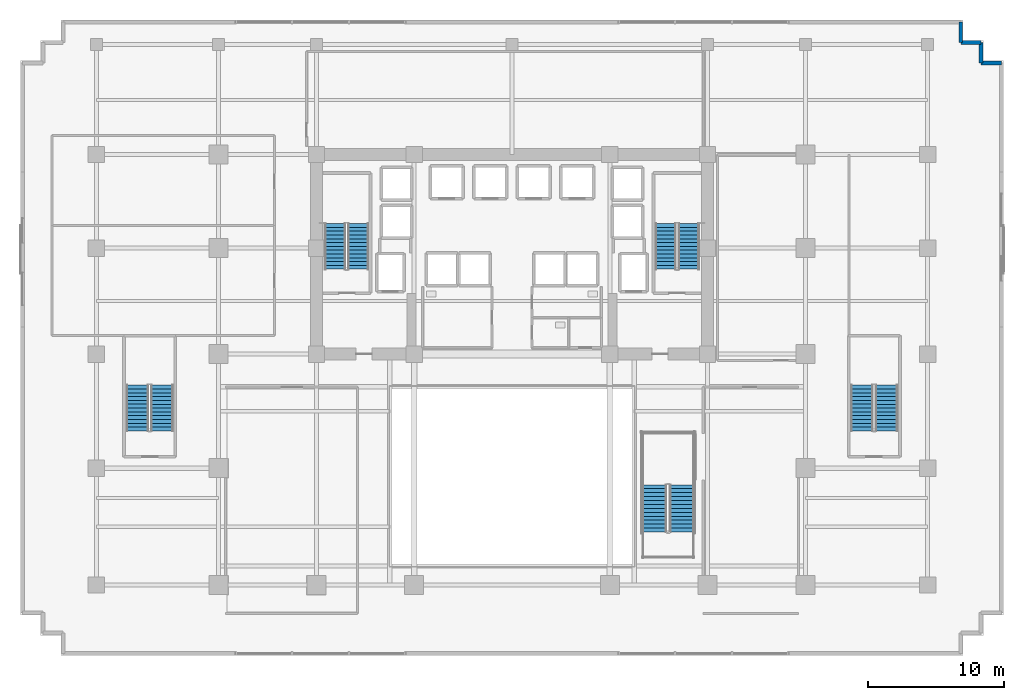
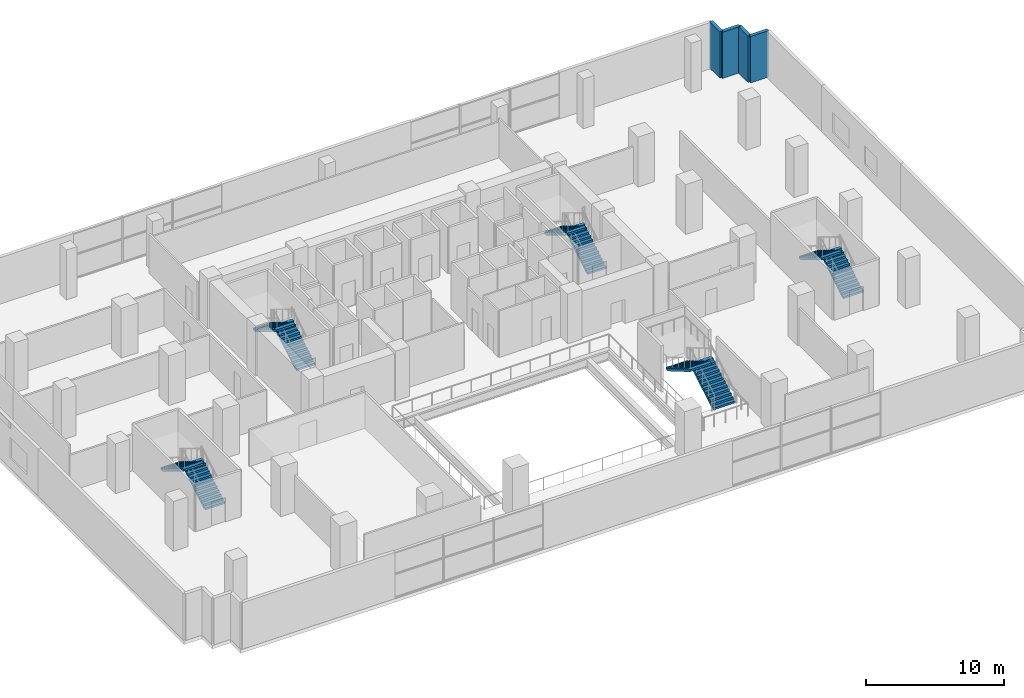
# One storey, part 17 of 21: 10 stair flights, 4 walls, 5 elements without a shape of their own.
"""IFC4 building model written with IfcOpenShell, lengths in metres."""

from ifc_helpers import new_model, si_unit, direction, frame, frame_2d, origin, place, context, subcontext, project, spatial, polyline, rectangle, outline, extrude, material, layer, layer_set, type_object, element, aggregate, save


model = new_model("IFC4")

# Units and contexts
model_context = context("Model", 3, precision=1e-05, world=origin(), true_north=direction((0.0, 1.0)))
body_context = subcontext(model_context, "Body", "Model", "MODEL_VIEW")
ifc_project = project(units=[si_unit("LENGTHUNIT", "METRE"), si_unit("AREAUNIT", "SQUARE_METRE"), si_unit("VOLUMEUNIT", "CUBIC_METRE"), si_unit("PLANEANGLEUNIT", "RADIAN"), si_unit("MASSUNIT", "GRAM", prefix="KILO")], contexts=[model_context])

# Site, building, storey
site_placement = place(None, origin())
site = spatial("IfcSite", under=ifc_project, at=site_placement, CompositionType="ELEMENT")
building_placement = place(site_placement, origin())
building = spatial("IfcBuilding", under=site, at=building_placement, Name="Zarnakvel Exchange Tower", CompositionType="ELEMENT")
storey_placement = place(building_placement, frame((0.0, 0.0, 18.199951171875)))
storey = spatial("IfcBuildingStorey", under=building, at=storey_placement, Name="L04", CompositionType="ELEMENT", Elevation=18.199951171875)

# Walls
ifc_material_1 = material(Name="Precast concrete C40/50", Category="concrete")
ifc_layer = layer(ifc_material_1, 0.280029296875)
ifc_layer_set = layer_set([ifc_layer], Name="Precast concrete C40/50")
wall_type = type_object("IfcWallType", Name="EW-01", PredefinedType="SOLIDWALL", material=ifc_layer_set)
for number, where, z_axis, x_axis, name in (
    (1, (33.0400390625, 21.739990234375, 0.0), (0.0, 0.0, 1.0), (0.0, 1.0, 0.0), "L04 Exterior Precast Spandrel Wall EWC-L04-10 (EW-01)"),
    (2, (34.5400390625, 21.739990234375, 0.0), (0.0, 0.0, 1.0), (-1.0, 0.0, 0.0), "L04 Exterior Precast Spandrel Wall EWC-L04-11 (EW-01)"),
    (3, (34.5400390625, 20.239990234375, 0.0), (0.0, 0.0, 1.0), (0.0, 1.0, 0.0), "L04 Exterior Precast Spandrel Wall EWC-L04-12 (EW-01)"),
    (4, (36.0400390625, 20.239990234375, 0.0), (0.0, 0.0, 1.0), (-1.0, 0.0, 0.0), "L04 Exterior Precast Spandrel Wall EWC-L04-13 (EW-01)"),
):
    element("IfcWall", number, at=place(storey_placement, frame(where, z_axis=z_axis, x_axis=x_axis)), inside=storey, type_object=wall_type, Name=name, PredefinedType="SOLIDWALL", context=body_context, shape_type="SweptSolid", body=[
        extrude(rectangle(XDim=1.5, YDim=0.280029296875, at=frame_2d((0.75, 0.0))), origin(), (0.0, 0.0, 1.0), 4.10009765625),
    ])

# Stair, stair flights
ifc_material_2 = material(Name="Concrete C40/50", Category="concrete")
stair_type_1 = type_object("IfcStairType", Name="STR-01", PredefinedType="HALF_TURN_STAIR", material=ifc_material_2)
stair_1_placement = place(storey_placement, origin())
stair_1 = element("IfcStair", 5, at=stair_1_placement, inside=storey, type_object=stair_type_1, Name="L04 Protected Core Exit Stair ST-01", PredefinedType="HALF_TURN_STAIR")
stair_flight_type_1 = type_object("IfcStairFlightType", Name="FLT-01", PredefinedType="STRAIGHT", material=ifc_material_2)
stair_flight_1_placement = place(storey_placement, frame((-11.31494140625, 5.050048828125, 0.0), z_axis=(0.0, 0.0, 1.0), x_axis=(0.0, 1.0, 0.0)))
stair_flight_1 = element("IfcStairFlight", 6, at=stair_flight_1_placement, type_object=stair_flight_type_1, Name="ST-01 flight 1", NumberOfRisers=13, NumberOfTreads=12, PredefinedType="STRAIGHT", RiserHeight=0.169230769, TreadLength=0.28, context=body_context, shape_type="SweptSolid", body=[
    extrude(outline(polyline([(0.0, 0.0), (0.0, 0.169189453125), (0.280029296875, 0.169189453125), (0.280029296875, 0.33837890625), (0.56005859375, 0.33837890625), (0.56005859375, 0.5078125), (0.840087890625, 0.5078125), (0.840087890625, 0.677001953125), (1.1201171875, 0.677001953125), (1.1201171875, 0.84619140625), (1.39990234375, 0.84619140625), (1.39990234375, 1.015380859375), (1.679931640625, 1.015380859375), (1.679931640625, 1.1845703125), (1.9599609375, 1.1845703125), (1.9599609375, 1.353759765625), (2.239990234375, 1.353759765625), (2.239990234375, 1.523193359375), (2.52001953125, 1.523193359375), (2.52001953125, 1.6923828125), (2.800048828125, 1.6923828125), (2.800048828125, 1.861572265625), (3.080078125, 1.861572265625), (3.080078125, 2.03076171875), (3.360107421875, 2.03076171875), (3.360107421875, 2.199951171875), (3.360107421875, 1.855712890625), (0.289794921875, 0.0), (0.0, 0.0)])), frame((0.0, 0.77490234375, 0.0), z_axis=(0.0, -1.0, 0.0), x_axis=(1.0, 0.0, 0.0)), (0.0, 0.0, 1.0), 1.550048828125),
])
stair_flight_2_placement = place(storey_placement, frame((-13.02490234375, 8.409912109375, 2.199951171875), z_axis=(0.0, 0.0, 1.0), x_axis=(0.0, -1.0, 0.0)))
stair_flight_2 = element("IfcStairFlight", 7, at=stair_flight_2_placement, type_object=stair_flight_type_1, Name="ST-01 flight 2", NumberOfRisers=13, NumberOfTreads=12, PredefinedType="STRAIGHT", RiserHeight=0.169230769, TreadLength=0.28, context=body_context, shape_type="SweptSolid", body=[
    extrude(outline(polyline([(0.0, 0.0), (0.0, 0.169189453125), (0.280029296875, 0.169189453125), (0.280029296875, 0.33837890625), (0.56005859375, 0.33837890625), (0.56005859375, 0.5078125), (0.840087890625, 0.5078125), (0.840087890625, 0.677001953125), (1.1201171875, 0.677001953125), (1.1201171875, 0.84619140625), (1.39990234375, 0.84619140625), (1.39990234375, 1.015380859375), (1.679931640625, 1.015380859375), (1.679931640625, 1.1845703125), (1.9599609375, 1.1845703125), (1.9599609375, 1.353759765625), (2.239990234375, 1.353759765625), (2.239990234375, 1.523193359375), (2.52001953125, 1.523193359375), (2.52001953125, 1.6923828125), (2.800048828125, 1.6923828125), (2.800048828125, 1.861572265625), (3.080078125, 1.861572265625), (3.080078125, 2.03076171875), (3.360107421875, 2.03076171875), (3.360107421875, 2.199951171875), (3.360107421875, 1.855712890625), (0.289794921875, 0.0), (0.0, 0.0)])), frame((0.0, 0.77490234375, 0.0), z_axis=(0.0, -1.0, 0.0), x_axis=(1.0, 0.0, 0.0)), (0.0, 0.0, 1.0), 1.550048828125),
])
aggregate(stair_1, [stair_flight_1, stair_flight_2])

stair_2_placement = place(storey_placement, origin())
stair_2 = element("IfcStair", 8, at=stair_2_placement, inside=storey, type_object=stair_type_1, Name="L04 Protected Core Exit Stair ST-02", PredefinedType="HALF_TURN_STAIR")
stair_flight_3_placement = place(storey_placement, frame((13.02490234375, 5.050048828125, 0.0), z_axis=(0.0, 0.0, 1.0), x_axis=(0.0, 1.0, 0.0)))
stair_flight_3 = element("IfcStairFlight", 9, at=stair_flight_3_placement, type_object=stair_flight_type_1, Name="ST-02 flight 1", NumberOfRisers=13, NumberOfTreads=12, PredefinedType="STRAIGHT", RiserHeight=0.169230769, TreadLength=0.28, context=body_context, shape_type="SweptSolid", body=[
    extrude(outline(polyline([(0.0, 0.0), (0.0, 0.169189453125), (0.280029296875, 0.169189453125), (0.280029296875, 0.33837890625), (0.56005859375, 0.33837890625), (0.56005859375, 0.5078125), (0.840087890625, 0.5078125), (0.840087890625, 0.677001953125), (1.1201171875, 0.677001953125), (1.1201171875, 0.84619140625), (1.39990234375, 0.84619140625), (1.39990234375, 1.015380859375), (1.679931640625, 1.015380859375), (1.679931640625, 1.1845703125), (1.9599609375, 1.1845703125), (1.9599609375, 1.353759765625), (2.239990234375, 1.353759765625), (2.239990234375, 1.523193359375), (2.52001953125, 1.523193359375), (2.52001953125, 1.6923828125), (2.800048828125, 1.6923828125), (2.800048828125, 1.861572265625), (3.080078125, 1.861572265625), (3.080078125, 2.03076171875), (3.360107421875, 2.03076171875), (3.360107421875, 2.199951171875), (3.360107421875, 1.855712890625), (0.289794921875, 0.0), (0.0, 0.0)])), frame((0.0, 0.77490234375, 0.0), z_axis=(0.0, -1.0, 0.0), x_axis=(1.0, 0.0, 0.0)), (0.0, 0.0, 1.0), 1.550048828125),
])
stair_flight_4_placement = place(storey_placement, frame((11.31494140625, 8.409912109375, 2.199951171875), z_axis=(0.0, 0.0, 1.0), x_axis=(0.0, -1.0, 0.0)))
stair_flight_4 = element("IfcStairFlight", 10, at=stair_flight_4_placement, type_object=stair_flight_type_1, Name="ST-02 flight 2", NumberOfRisers=13, NumberOfTreads=12, PredefinedType="STRAIGHT", RiserHeight=0.169230769, TreadLength=0.28, context=body_context, shape_type="SweptSolid", body=[
    extrude(outline(polyline([(0.0, 0.0), (0.0, 0.169189453125), (0.280029296875, 0.169189453125), (0.280029296875, 0.33837890625), (0.56005859375, 0.33837890625), (0.56005859375, 0.5078125), (0.840087890625, 0.5078125), (0.840087890625, 0.677001953125), (1.1201171875, 0.677001953125), (1.1201171875, 0.84619140625), (1.39990234375, 0.84619140625), (1.39990234375, 1.015380859375), (1.679931640625, 1.015380859375), (1.679931640625, 1.1845703125), (1.9599609375, 1.1845703125), (1.9599609375, 1.353759765625), (2.239990234375, 1.353759765625), (2.239990234375, 1.523193359375), (2.52001953125, 1.523193359375), (2.52001953125, 1.6923828125), (2.800048828125, 1.6923828125), (2.800048828125, 1.861572265625), (3.080078125, 1.861572265625), (3.080078125, 2.03076171875), (3.360107421875, 2.03076171875), (3.360107421875, 2.199951171875), (3.360107421875, 1.855712890625), (0.289794921875, 0.0), (0.0, 0.0)])), frame((0.0, 0.77490234375, 0.0), z_axis=(0.0, -1.0, 0.0), x_axis=(1.0, 0.0, 0.0)), (0.0, 0.0, 1.0), 1.550048828125),
])
aggregate(stair_2, [stair_flight_3, stair_flight_4])

stair_type_2 = type_object("IfcStairType", Name="STR-02", PredefinedType="HALF_TURN_STAIR", material=ifc_material_2)
stair_3_placement = place(storey_placement, origin())
stair_3 = element("IfcStair", 11, at=stair_3_placement, inside=storey, type_object=stair_type_2, Name="L04 Podium West Exit Stair ST-03", PredefinedType="HALF_TURN_STAIR")
stair_flight_type_2 = type_object("IfcStairFlightType", Name="FLT-02", PredefinedType="STRAIGHT", material=ifc_material_2)
stair_flight_5_placement = place(storey_placement, frame((-25.764892578125, -6.85009765625, 0.0), z_axis=(0.0, 0.0, 1.0), x_axis=(0.0, 1.0, 0.0)))
stair_flight_5 = element("IfcStairFlight", 12, at=stair_flight_5_placement, type_object=stair_flight_type_2, Name="ST-03 flight 1", NumberOfRisers=13, NumberOfTreads=12, PredefinedType="STRAIGHT", RiserHeight=0.169230769, TreadLength=0.28, context=body_context, shape_type="SweptSolid", body=[
    extrude(outline(polyline([(0.0, 0.0), (0.0, 0.169189453125), (0.280029296875, 0.169189453125), (0.280029296875, 0.33837890625), (0.56005859375, 0.33837890625), (0.56005859375, 0.5078125), (0.840087890625, 0.5078125), (0.840087890625, 0.677001953125), (1.1201171875, 0.677001953125), (1.1201171875, 0.84619140625), (1.39990234375, 0.84619140625), (1.39990234375, 1.015380859375), (1.679931640625, 1.015380859375), (1.679931640625, 1.1845703125), (1.9599609375, 1.1845703125), (1.9599609375, 1.353759765625), (2.239990234375, 1.353759765625), (2.239990234375, 1.523193359375), (2.52001953125, 1.523193359375), (2.52001953125, 1.6923828125), (2.800048828125, 1.6923828125), (2.800048828125, 1.861572265625), (3.080078125, 1.861572265625), (3.080078125, 2.03076171875), (3.360107421875, 2.03076171875), (3.360107421875, 2.199951171875), (3.360107421875, 1.855712890625), (0.289794921875, 0.0), (0.0, 0.0)])), frame((0.0, 0.824951171875, 0.0), z_axis=(0.0, -1.0, 0.0), x_axis=(1.0, 0.0, 0.0)), (0.0, 0.0, 1.0), 1.64990234375),
])
stair_flight_6_placement = place(storey_placement, frame((-27.574951171875, -3.489990234375, 2.199951171875), z_axis=(0.0, 0.0, 1.0), x_axis=(0.0, -1.0, 0.0)))
stair_flight_6 = element("IfcStairFlight", 13, at=stair_flight_6_placement, type_object=stair_flight_type_2, Name="ST-03 flight 2", NumberOfRisers=13, NumberOfTreads=12, PredefinedType="STRAIGHT", RiserHeight=0.169230769, TreadLength=0.28, context=body_context, shape_type="SweptSolid", body=[
    extrude(outline(polyline([(0.0, 0.0), (0.0, 0.169189453125), (0.280029296875, 0.169189453125), (0.280029296875, 0.33837890625), (0.56005859375, 0.33837890625), (0.56005859375, 0.5078125), (0.840087890625, 0.5078125), (0.840087890625, 0.677001953125), (1.1201171875, 0.677001953125), (1.1201171875, 0.84619140625), (1.39990234375, 0.84619140625), (1.39990234375, 1.015380859375), (1.679931640625, 1.015380859375), (1.679931640625, 1.1845703125), (1.9599609375, 1.1845703125), (1.9599609375, 1.353759765625), (2.239990234375, 1.353759765625), (2.239990234375, 1.523193359375), (2.52001953125, 1.523193359375), (2.52001953125, 1.6923828125), (2.800048828125, 1.6923828125), (2.800048828125, 1.861572265625), (3.080078125, 1.861572265625), (3.080078125, 2.03076171875), (3.360107421875, 2.03076171875), (3.360107421875, 2.199951171875), (3.360107421875, 1.855712890625), (0.289794921875, 0.0), (0.0, 0.0)])), frame((0.0, 0.824951171875, 0.0), z_axis=(0.0, -1.0, 0.0), x_axis=(1.0, 0.0, 0.0)), (0.0, 0.0, 1.0), 1.64990234375),
])
aggregate(stair_3, [stair_flight_5, stair_flight_6])

stair_4_placement = place(storey_placement, origin())
stair_4 = element("IfcStair", 14, at=stair_4_placement, inside=storey, type_object=stair_type_2, Name="L04 Podium East Exit Stair ST-04", PredefinedType="HALF_TURN_STAIR")
stair_flight_7_placement = place(storey_placement, frame((27.574951171875, -6.85009765625, 0.0), z_axis=(0.0, 0.0, 1.0), x_axis=(0.0, 1.0, 0.0)))
stair_flight_7 = element("IfcStairFlight", 15, at=stair_flight_7_placement, type_object=stair_flight_type_2, Name="ST-04 flight 1", NumberOfRisers=13, NumberOfTreads=12, PredefinedType="STRAIGHT", RiserHeight=0.169230769, TreadLength=0.28, context=body_context, shape_type="SweptSolid", body=[
    extrude(outline(polyline([(0.0, 0.0), (0.0, 0.169189453125), (0.280029296875, 0.169189453125), (0.280029296875, 0.33837890625), (0.56005859375, 0.33837890625), (0.56005859375, 0.5078125), (0.840087890625, 0.5078125), (0.840087890625, 0.677001953125), (1.1201171875, 0.677001953125), (1.1201171875, 0.84619140625), (1.39990234375, 0.84619140625), (1.39990234375, 1.015380859375), (1.679931640625, 1.015380859375), (1.679931640625, 1.1845703125), (1.9599609375, 1.1845703125), (1.9599609375, 1.353759765625), (2.239990234375, 1.353759765625), (2.239990234375, 1.523193359375), (2.52001953125, 1.523193359375), (2.52001953125, 1.6923828125), (2.800048828125, 1.6923828125), (2.800048828125, 1.861572265625), (3.080078125, 1.861572265625), (3.080078125, 2.03076171875), (3.360107421875, 2.03076171875), (3.360107421875, 2.199951171875), (3.360107421875, 1.855712890625), (0.289794921875, 0.0), (0.0, 0.0)])), frame((0.0, 0.824951171875, 0.0), z_axis=(0.0, -1.0, 0.0), x_axis=(1.0, 0.0, 0.0)), (0.0, 0.0, 1.0), 1.64990234375),
])
stair_flight_8_placement = place(storey_placement, frame((25.764892578125, -3.489990234375, 2.199951171875), z_axis=(0.0, 0.0, 1.0), x_axis=(0.0, -1.0, 0.0)))
stair_flight_8 = element("IfcStairFlight", 16, at=stair_flight_8_placement, type_object=stair_flight_type_2, Name="ST-04 flight 2", NumberOfRisers=13, NumberOfTreads=12, PredefinedType="STRAIGHT", RiserHeight=0.169230769, TreadLength=0.28, context=body_context, shape_type="SweptSolid", body=[
    extrude(outline(polyline([(0.0, 0.0), (0.0, 0.169189453125), (0.280029296875, 0.169189453125), (0.280029296875, 0.33837890625), (0.56005859375, 0.33837890625), (0.56005859375, 0.5078125), (0.840087890625, 0.5078125), (0.840087890625, 0.677001953125), (1.1201171875, 0.677001953125), (1.1201171875, 0.84619140625), (1.39990234375, 0.84619140625), (1.39990234375, 1.015380859375), (1.679931640625, 1.015380859375), (1.679931640625, 1.1845703125), (1.9599609375, 1.1845703125), (1.9599609375, 1.353759765625), (2.239990234375, 1.353759765625), (2.239990234375, 1.523193359375), (2.52001953125, 1.523193359375), (2.52001953125, 1.6923828125), (2.800048828125, 1.6923828125), (2.800048828125, 1.861572265625), (3.080078125, 1.861572265625), (3.080078125, 2.03076171875), (3.360107421875, 2.03076171875), (3.360107421875, 2.199951171875), (3.360107421875, 1.855712890625), (0.289794921875, 0.0), (0.0, 0.0)])), frame((0.0, 0.824951171875, 0.0), z_axis=(0.0, -1.0, 0.0), x_axis=(1.0, 0.0, 0.0)), (0.0, 0.0, 1.0), 1.64990234375),
])
aggregate(stair_4, [stair_flight_7, stair_flight_8])

stair_type_3 = type_object("IfcStairType", Name="STR-04", PredefinedType="HALF_TURN_STAIR", material=ifc_material_2)
stair_5_placement = place(storey_placement, origin())
stair_5 = element("IfcStair", 17, at=stair_5_placement, inside=storey, type_object=stair_type_3, Name="L04 Exchange Concourse Atrium Feature Stair ST-06", PredefinedType="HALF_TURN_STAIR")
stair_flight_type_3 = type_object("IfcStairFlightType", Name="FLT-04", PredefinedType="STRAIGHT", material=ifc_material_2)
stair_flight_9_placement = place(storey_placement, frame((12.5, -14.300048828125, 0.0), z_axis=(0.0, 0.0, 1.0), x_axis=(0.0, 1.0, 0.0)))
stair_flight_9 = element("IfcStairFlight", 18, at=stair_flight_9_placement, type_object=stair_flight_type_3, Name="ST-06 flight 1", NumberOfRisers=13, NumberOfTreads=12, PredefinedType="STRAIGHT", RiserHeight=0.169230769, TreadLength=0.29, context=body_context, shape_type="SweptSolid", body=[
    extrude(outline(polyline([(0.0, 0.0), (0.0, 0.169189453125), (0.2900390625, 0.169189453125), (0.2900390625, 0.33837890625), (0.580078125, 0.33837890625), (0.580078125, 0.5078125), (0.8701171875, 0.5078125), (0.8701171875, 0.677001953125), (1.159912109375, 0.677001953125), (1.159912109375, 0.84619140625), (1.449951171875, 0.84619140625), (1.449951171875, 1.015380859375), (1.739990234375, 1.015380859375), (1.739990234375, 1.1845703125), (2.030029296875, 1.1845703125), (2.030029296875, 1.353759765625), (2.320068359375, 1.353759765625), (2.320068359375, 1.523193359375), (2.610107421875, 1.523193359375), (2.610107421875, 1.6923828125), (2.89990234375, 1.6923828125), (2.89990234375, 1.861572265625), (3.18994140625, 1.861572265625), (3.18994140625, 2.03076171875), (3.47998046875, 2.03076171875), (3.47998046875, 2.199951171875), (3.47998046875, 1.857177734375), (0.29736328125, 0.0), (0.0, 0.0)])), frame((0.0, 0.89990234375, 0.0), z_axis=(0.0, -1.0, 0.0), x_axis=(1.0, 0.0, 0.0)), (0.0, 0.0, 1.0), 1.800048828125),
])
stair_flight_10_placement = place(storey_placement, frame((10.5, -10.820068359375, 2.199951171875), z_axis=(0.0, 0.0, 1.0), x_axis=(0.0, -1.0, 0.0)))
stair_flight_10 = element("IfcStairFlight", 19, at=stair_flight_10_placement, type_object=stair_flight_type_3, Name="ST-06 flight 2", NumberOfRisers=13, NumberOfTreads=12, PredefinedType="STRAIGHT", RiserHeight=0.169230769, TreadLength=0.29, context=body_context, shape_type="SweptSolid", body=[
    extrude(outline(polyline([(0.0, 0.0), (0.0, 0.169189453125), (0.2900390625, 0.169189453125), (0.2900390625, 0.33837890625), (0.580078125, 0.33837890625), (0.580078125, 0.5078125), (0.8701171875, 0.5078125), (0.8701171875, 0.677001953125), (1.159912109375, 0.677001953125), (1.159912109375, 0.84619140625), (1.449951171875, 0.84619140625), (1.449951171875, 1.015380859375), (1.739990234375, 1.015380859375), (1.739990234375, 1.1845703125), (2.030029296875, 1.1845703125), (2.030029296875, 1.353759765625), (2.320068359375, 1.353759765625), (2.320068359375, 1.523193359375), (2.610107421875, 1.523193359375), (2.610107421875, 1.6923828125), (2.89990234375, 1.6923828125), (2.89990234375, 1.861572265625), (3.18994140625, 1.861572265625), (3.18994140625, 2.03076171875), (3.47998046875, 2.03076171875), (3.47998046875, 2.199951171875), (3.47998046875, 1.857177734375), (0.29736328125, 0.0), (0.0, 0.0)])), frame((0.0, 0.89990234375, 0.0), z_axis=(0.0, -1.0, 0.0), x_axis=(1.0, 0.0, 0.0)), (0.0, 0.0, 1.0), 1.800048828125),
])
aggregate(stair_5, [stair_flight_9, stair_flight_10])

save(model, "model.ifc")
